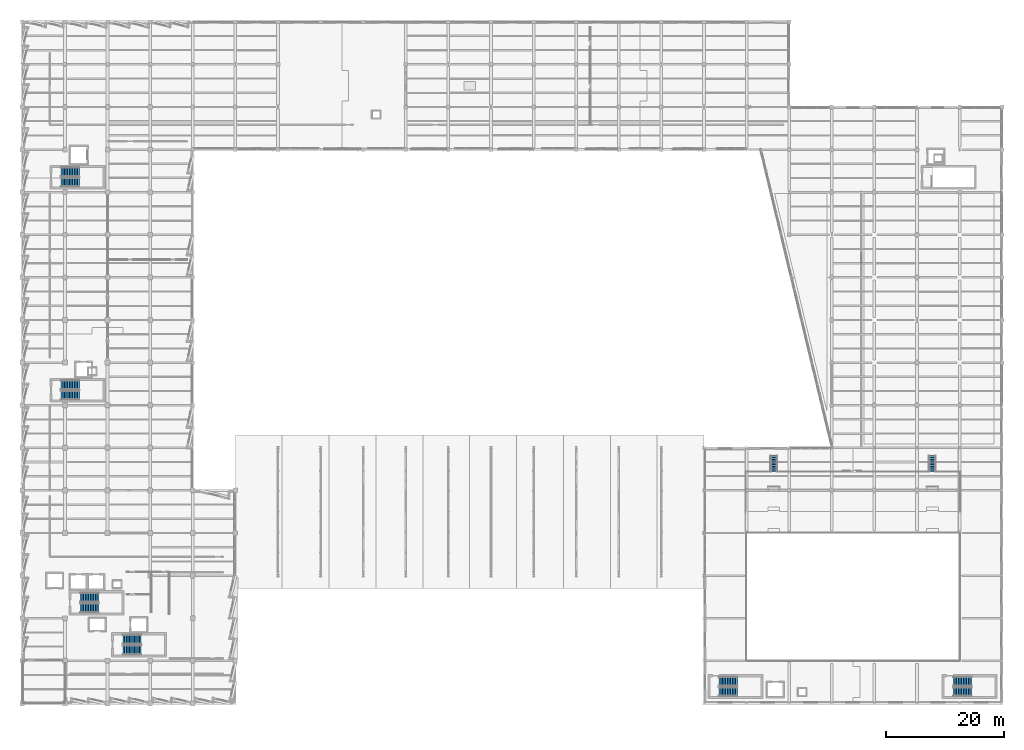
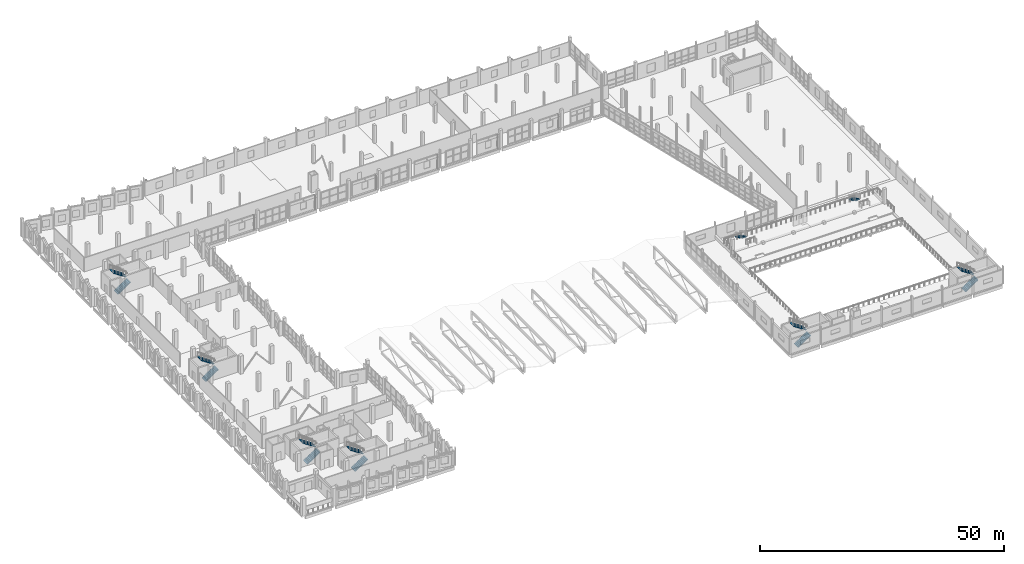
# One storey, part 99 of 123: 14 stair flights, 8 elements without a shape of their own.
"""IFC4 building model written with IfcOpenShell, lengths in metres."""

from ifc_helpers import new_model, si_unit, direction, frame, origin, place, context, subcontext, project, spatial, polyline, outline, extrude, material, type_object, element, aggregate, save


model = new_model("IFC4")

# Units and contexts
model_context = context("Model", 3, precision=1e-05, world=origin(), true_north=direction((0.0, 1.0)))
body_context = subcontext(model_context, "Body", "Model", "MODEL_VIEW")
ifc_project = project(units=[si_unit("LENGTHUNIT", "METRE"), si_unit("AREAUNIT", "SQUARE_METRE"), si_unit("VOLUMEUNIT", "CUBIC_METRE"), si_unit("PLANEANGLEUNIT", "RADIAN"), si_unit("MASSUNIT", "GRAM", prefix="KILO")], contexts=[model_context])

# Site, building, storey
site_placement = place(None, origin())
site = spatial("IfcSite", under=ifc_project, at=site_placement, CompositionType="ELEMENT")
building_placement = place(site_placement, origin())
building = spatial("IfcBuilding", under=site, at=building_placement, Name="Kalmorath City Hall", CompositionType="ELEMENT")
storey_placement = place(building_placement, frame((0.0, 0.0, 10.199951171875)))
storey = spatial("IfcBuildingStorey", under=building, at=storey_placement, Name="L02", CompositionType="ELEMENT", Elevation=10.199951171875)

# Stair, stair flights
ifc_material_1 = material(Name="Concrete C40/50", Category="concrete")
stair_type_1 = type_object("IfcStairType", Name="Dogleg concrete exit stair 24R x 188mm W1550", PredefinedType="HALF_TURN_STAIR", material=ifc_material_1)
stair_1_placement = place(storey_placement, origin())
stair_1 = element("IfcStair", 1, at=stair_1_placement, inside=storey, type_object=stair_type_1, Name="L02 Protected exit stair ST-3", PredefinedType="HALF_TURN_STAIR")
ifc_material_2 = material(Name="Concrete C40/50", Category="concrete")
stair_flight_type_1 = type_object("IfcStairFlightType", Name="Concrete stair flight 188x280 W1550", PredefinedType="STRAIGHT", material=ifc_material_2)
stair_flight_1_placement = place(storey_placement, frame((6.550048828125, 52.074951171875, 0.0), z_axis=(0.0, 0.0, 1.0), x_axis=(1.0, 0.0, 0.0)))
stair_flight_1 = element("IfcStairFlight", 2, at=stair_flight_1_placement, type_object=stair_flight_type_1, Name="ST-3 flight 1", NumberOfRisers=12, NumberOfTreads=11, PredefinedType="STRAIGHT", RiserHeight=0.1875, TreadLength=0.28, context=body_context, shape_type="SweptSolid", body=[
    extrude(outline(polyline([(0.0, 0.0), (0.0, 0.1875), (0.280029296875, 0.1875), (0.280029296875, 0.375), (0.56005859375, 0.375), (0.56005859375, 0.5625), (0.840087890625, 0.5625), (0.840087890625, 0.75), (1.1201171875, 0.75), (1.1201171875, 0.9375), (1.39990234375, 0.9375), (1.39990234375, 1.125), (1.679931640625, 1.125), (1.679931640625, 1.3125), (1.9599609375, 1.3125), (1.9599609375, 1.5), (2.239990234375, 1.5), (2.239990234375, 1.6875), (2.52001953125, 1.6875), (2.52001953125, 1.875), (2.800048828125, 1.875), (2.800048828125, 2.0625), (3.080078125, 2.0625), (3.080078125, 2.25), (3.080078125, 1.882080078125), (0.26953125, 0.0), (0.0, 0.0)])), frame((0.0, 0.77490234375, 0.0), z_axis=(0.0, -1.0, 0.0), x_axis=(1.0, 0.0, 0.0)), (0.0, 0.0, 1.0), 1.550048828125),
])
stair_flight_2_placement = place(storey_placement, frame((9.6298828125, 53.824951171875, 2.25), z_axis=(0.0, 0.0, 1.0), x_axis=(-1.0, 0.0, 0.0)))
stair_flight_2 = element("IfcStairFlight", 3, at=stair_flight_2_placement, type_object=stair_flight_type_1, Name="ST-3 flight 2", NumberOfRisers=12, NumberOfTreads=11, PredefinedType="STRAIGHT", RiserHeight=0.1875, TreadLength=0.28, context=body_context, shape_type="SweptSolid", body=[
    extrude(outline(polyline([(0.0, 0.0), (0.0, 0.1875), (0.280029296875, 0.1875), (0.280029296875, 0.375), (0.56005859375, 0.375), (0.56005859375, 0.5625), (0.840087890625, 0.5625), (0.840087890625, 0.75), (1.1201171875, 0.75), (1.1201171875, 0.9375), (1.39990234375, 0.9375), (1.39990234375, 1.125), (1.679931640625, 1.125), (1.679931640625, 1.3125), (1.9599609375, 1.3125), (1.9599609375, 1.5), (2.239990234375, 1.5), (2.239990234375, 1.6875), (2.52001953125, 1.6875), (2.52001953125, 1.875), (2.800048828125, 1.875), (2.800048828125, 2.0625), (3.080078125, 2.0625), (3.080078125, 2.25), (3.080078125, 1.882080078125), (0.26953125, 0.0), (0.0, 0.0)])), frame((0.0, 0.77490234375, 0.0), z_axis=(0.0, -1.0, 0.0), x_axis=(1.0, 0.0, 0.0)), (0.0, 0.0, 1.0), 1.550048828125),
])
aggregate(stair_1, [stair_flight_1, stair_flight_2])

stair_2_placement = place(storey_placement, origin())
stair_2 = element("IfcStair", 4, at=stair_2_placement, inside=storey, type_object=stair_type_1, Name="L02 Protected exit stair ST-4", PredefinedType="HALF_TURN_STAIR")
stair_flight_3_placement = place(storey_placement, frame((6.550048828125, 88.074951171875, 0.0), z_axis=(0.0, 0.0, 1.0), x_axis=(1.0, 0.0, 0.0)))
stair_flight_3 = element("IfcStairFlight", 5, at=stair_flight_3_placement, type_object=stair_flight_type_1, Name="ST-4 flight 1", NumberOfRisers=12, NumberOfTreads=11, PredefinedType="STRAIGHT", RiserHeight=0.1875, TreadLength=0.28, context=body_context, shape_type="SweptSolid", body=[
    extrude(outline(polyline([(0.0, 0.0), (0.0, 0.1875), (0.280029296875, 0.1875), (0.280029296875, 0.375), (0.56005859375, 0.375), (0.56005859375, 0.5625), (0.840087890625, 0.5625), (0.840087890625, 0.75), (1.1201171875, 0.75), (1.1201171875, 0.9375), (1.39990234375, 0.9375), (1.39990234375, 1.125), (1.679931640625, 1.125), (1.679931640625, 1.3125), (1.9599609375, 1.3125), (1.9599609375, 1.5), (2.239990234375, 1.5), (2.239990234375, 1.6875), (2.52001953125, 1.6875), (2.52001953125, 1.875), (2.800048828125, 1.875), (2.800048828125, 2.0625), (3.080078125, 2.0625), (3.080078125, 2.25), (3.080078125, 1.882080078125), (0.26953125, 0.0), (0.0, 0.0)])), frame((0.0, 0.77490234375, 0.0), z_axis=(0.0, -1.0, 0.0), x_axis=(1.0, 0.0, 0.0)), (0.0, 0.0, 1.0), 1.550048828125),
])
stair_flight_4_placement = place(storey_placement, frame((9.6298828125, 89.824951171875, 2.25), z_axis=(0.0, 0.0, 1.0), x_axis=(-1.0, 0.0, 0.0)))
stair_flight_4 = element("IfcStairFlight", 6, at=stair_flight_4_placement, type_object=stair_flight_type_1, Name="ST-4 flight 2", NumberOfRisers=12, NumberOfTreads=11, PredefinedType="STRAIGHT", RiserHeight=0.1875, TreadLength=0.28, context=body_context, shape_type="SweptSolid", body=[
    extrude(outline(polyline([(0.0, 0.0), (0.0, 0.1875), (0.280029296875, 0.1875), (0.280029296875, 0.375), (0.56005859375, 0.375), (0.56005859375, 0.5625), (0.840087890625, 0.5625), (0.840087890625, 0.75), (1.1201171875, 0.75), (1.1201171875, 0.9375), (1.39990234375, 0.9375), (1.39990234375, 1.125), (1.679931640625, 1.125), (1.679931640625, 1.3125), (1.9599609375, 1.3125), (1.9599609375, 1.5), (2.239990234375, 1.5), (2.239990234375, 1.6875), (2.52001953125, 1.6875), (2.52001953125, 1.875), (2.800048828125, 1.875), (2.800048828125, 2.0625), (3.080078125, 2.0625), (3.080078125, 2.25), (3.080078125, 1.882080078125), (0.26953125, 0.0), (0.0, 0.0)])), frame((0.0, 0.77490234375, 0.0), z_axis=(0.0, -1.0, 0.0), x_axis=(1.0, 0.0, 0.0)), (0.0, 0.0, 1.0), 1.550048828125),
])
aggregate(stair_2, [stair_flight_3, stair_flight_4])

stair_3_placement = place(storey_placement, origin())
stair_3 = element("IfcStair", 7, at=stair_3_placement, inside=storey, type_object=stair_type_1, Name="L02 Protected exit stair ST-5", PredefinedType="HALF_TURN_STAIR")
stair_flight_5_placement = place(storey_placement, frame((117.75, 1.97509765625, 0.0), z_axis=(0.0, 0.0, 1.0), x_axis=(1.0, 0.0, 0.0)))
stair_flight_5 = element("IfcStairFlight", 8, at=stair_flight_5_placement, type_object=stair_flight_type_1, Name="ST-5 flight 1", NumberOfRisers=12, NumberOfTreads=11, PredefinedType="STRAIGHT", RiserHeight=0.1875, TreadLength=0.28, context=body_context, shape_type="SweptSolid", body=[
    extrude(outline(polyline([(0.0, 0.0), (0.0, 0.1875), (0.280029296875, 0.1875), (0.280029296875, 0.375), (0.56005859375, 0.375), (0.56005859375, 0.5625), (0.840087890625, 0.5625), (0.840087890625, 0.75), (1.1201171875, 0.75), (1.1201171875, 0.9375), (1.39990234375, 0.9375), (1.39990234375, 1.125), (1.679931640625, 1.125), (1.679931640625, 1.3125), (1.9599609375, 1.3125), (1.9599609375, 1.5), (2.239990234375, 1.5), (2.239990234375, 1.6875), (2.52001953125, 1.6875), (2.52001953125, 1.875), (2.800048828125, 1.875), (2.800048828125, 2.0625), (3.080078125, 2.0625), (3.080078125, 2.25), (3.080078125, 1.882080078125), (0.26953125, 0.0), (0.0, 0.0)])), frame((0.0, 0.77490234375, 0.0), z_axis=(0.0, -1.0, 0.0), x_axis=(1.0, 0.0, 0.0)), (0.0, 0.0, 1.0), 1.550048828125),
])
stair_flight_6_placement = place(storey_placement, frame((120.830078125, 3.72509765625, 2.25), z_axis=(0.0, 0.0, 1.0), x_axis=(-1.0, 0.0, 0.0)))
stair_flight_6 = element("IfcStairFlight", 9, at=stair_flight_6_placement, type_object=stair_flight_type_1, Name="ST-5 flight 2", NumberOfRisers=12, NumberOfTreads=11, PredefinedType="STRAIGHT", RiserHeight=0.1875, TreadLength=0.28, context=body_context, shape_type="SweptSolid", body=[
    extrude(outline(polyline([(0.0, 0.0), (0.0, 0.1875), (0.280029296875, 0.1875), (0.280029296875, 0.375), (0.56005859375, 0.375), (0.56005859375, 0.5625), (0.840087890625, 0.5625), (0.840087890625, 0.75), (1.1201171875, 0.75), (1.1201171875, 0.9375), (1.39990234375, 0.9375), (1.39990234375, 1.125), (1.679931640625, 1.125), (1.679931640625, 1.3125), (1.9599609375, 1.3125), (1.9599609375, 1.5), (2.239990234375, 1.5), (2.239990234375, 1.6875), (2.52001953125, 1.6875), (2.52001953125, 1.875), (2.800048828125, 1.875), (2.800048828125, 2.0625), (3.080078125, 2.0625), (3.080078125, 2.25), (3.080078125, 1.882080078125), (0.26953125, 0.0), (0.0, 0.0)])), frame((0.0, 0.77490234375, 0.0), z_axis=(0.0, -1.0, 0.0), x_axis=(1.0, 0.0, 0.0)), (0.0, 0.0, 1.0), 1.550048828125),
])
aggregate(stair_3, [stair_flight_5, stair_flight_6])

stair_4_placement = place(storey_placement, origin())
stair_4 = element("IfcStair", 10, at=stair_4_placement, inside=storey, type_object=stair_type_1, Name="L02 Protected exit stair ST-7", PredefinedType="HALF_TURN_STAIR")
stair_flight_7_placement = place(storey_placement, frame((157.35009765625, 1.97509765625, 0.0), z_axis=(0.0, 0.0, 1.0), x_axis=(1.0, 0.0, 0.0)))
stair_flight_7 = element("IfcStairFlight", 11, at=stair_flight_7_placement, type_object=stair_flight_type_1, Name="ST-7 flight 1", NumberOfRisers=12, NumberOfTreads=11, PredefinedType="STRAIGHT", RiserHeight=0.1875, TreadLength=0.28, context=body_context, shape_type="SweptSolid", body=[
    extrude(outline(polyline([(0.0, 0.0), (0.0, 0.1875), (0.280029296875, 0.1875), (0.280029296875, 0.375), (0.56005859375, 0.375), (0.56005859375, 0.5625), (0.840087890625, 0.5625), (0.840087890625, 0.75), (1.1201171875, 0.75), (1.1201171875, 0.9375), (1.39990234375, 0.9375), (1.39990234375, 1.125), (1.679931640625, 1.125), (1.679931640625, 1.3125), (1.9599609375, 1.3125), (1.9599609375, 1.5), (2.239990234375, 1.5), (2.239990234375, 1.6875), (2.52001953125, 1.6875), (2.52001953125, 1.875), (2.800048828125, 1.875), (2.800048828125, 2.0625), (3.080078125, 2.0625), (3.080078125, 2.25), (3.080078125, 1.882080078125), (0.26953125, 0.0), (0.0, 0.0)])), frame((0.0, 0.77490234375, 0.0), z_axis=(0.0, -1.0, 0.0), x_axis=(1.0, 0.0, 0.0)), (0.0, 0.0, 1.0), 1.550048828125),
])
stair_flight_8_placement = place(storey_placement, frame((160.429931640625, 3.72509765625, 2.25), z_axis=(0.0, 0.0, 1.0), x_axis=(-1.0, 0.0, 0.0)))
stair_flight_8 = element("IfcStairFlight", 12, at=stair_flight_8_placement, type_object=stair_flight_type_1, Name="ST-7 flight 2", NumberOfRisers=12, NumberOfTreads=11, PredefinedType="STRAIGHT", RiserHeight=0.1875, TreadLength=0.28, context=body_context, shape_type="SweptSolid", body=[
    extrude(outline(polyline([(0.0, 0.0), (0.0, 0.1875), (0.280029296875, 0.1875), (0.280029296875, 0.375), (0.56005859375, 0.375), (0.56005859375, 0.5625), (0.840087890625, 0.5625), (0.840087890625, 0.75), (1.1201171875, 0.75), (1.1201171875, 0.9375), (1.39990234375, 0.9375), (1.39990234375, 1.125), (1.679931640625, 1.125), (1.679931640625, 1.3125), (1.9599609375, 1.3125), (1.9599609375, 1.5), (2.239990234375, 1.5), (2.239990234375, 1.6875), (2.52001953125, 1.6875), (2.52001953125, 1.875), (2.800048828125, 1.875), (2.800048828125, 2.0625), (3.080078125, 2.0625), (3.080078125, 2.25), (3.080078125, 1.882080078125), (0.26953125, 0.0), (0.0, 0.0)])), frame((0.0, 0.77490234375, 0.0), z_axis=(0.0, -1.0, 0.0), x_axis=(1.0, 0.0, 0.0)), (0.0, 0.0, 1.0), 1.550048828125),
])
aggregate(stair_4, [stair_flight_7, stair_flight_8])

ifc_material_3 = material(Name="Concrete C40/50", Category="concrete")
stair_type_2 = type_object("IfcStairType", Name="Dogleg concrete exit stair 24R x 188mm W1600", PredefinedType="HALF_TURN_STAIR", material=ifc_material_3)
stair_5_placement = place(storey_placement, origin())
stair_5 = element("IfcStair", 13, at=stair_5_placement, inside=storey, type_object=stair_type_2, Name="L02 Protected exit stair ST-1", PredefinedType="HALF_TURN_STAIR")
ifc_material_4 = material(Name="Concrete C40/50", Category="concrete")
stair_flight_type_2 = type_object("IfcStairFlightType", Name="Concrete stair flight 188x280 W1600", PredefinedType="STRAIGHT", material=ifc_material_4)
stair_flight_9_placement = place(storey_placement, frame((9.800048828125, 16.10009765625, 0.0), z_axis=(0.0, 0.0, 1.0), x_axis=(1.0, 0.0, 0.0)))
stair_flight_9 = element("IfcStairFlight", 14, at=stair_flight_9_placement, type_object=stair_flight_type_2, Name="ST-1 flight 1", NumberOfRisers=12, NumberOfTreads=11, PredefinedType="STRAIGHT", RiserHeight=0.1875, TreadLength=0.28, context=body_context, shape_type="SweptSolid", body=[
    extrude(outline(polyline([(0.0, 0.0), (0.0, 0.1875), (0.280029296875, 0.1875), (0.280029296875, 0.375), (0.56005859375, 0.375), (0.56005859375, 0.5625), (0.840087890625, 0.5625), (0.840087890625, 0.75), (1.1201171875, 0.75), (1.1201171875, 0.9375), (1.39990234375, 0.9375), (1.39990234375, 1.125), (1.679931640625, 1.125), (1.679931640625, 1.3125), (1.9599609375, 1.3125), (1.9599609375, 1.5), (2.239990234375, 1.5), (2.239990234375, 1.6875), (2.52001953125, 1.6875), (2.52001953125, 1.875), (2.800048828125, 1.875), (2.800048828125, 2.0625), (3.080078125, 2.0625), (3.080078125, 2.25), (3.080078125, 1.882080078125), (0.26953125, 0.0), (0.0, 0.0)])), frame((0.0, 0.800048828125, 0.0), z_axis=(0.0, -1.0, 0.0), x_axis=(1.0, 0.0, 0.0)), (0.0, 0.0, 1.0), 1.60009765625),
])
stair_flight_10_placement = place(storey_placement, frame((12.8798828125, 17.89990234375, 2.25), z_axis=(0.0, 0.0, 1.0), x_axis=(-1.0, 0.0, 0.0)))
stair_flight_10 = element("IfcStairFlight", 15, at=stair_flight_10_placement, type_object=stair_flight_type_2, Name="ST-1 flight 2", NumberOfRisers=12, NumberOfTreads=11, PredefinedType="STRAIGHT", RiserHeight=0.1875, TreadLength=0.28, context=body_context, shape_type="SweptSolid", body=[
    extrude(outline(polyline([(0.0, 0.0), (0.0, 0.1875), (0.280029296875, 0.1875), (0.280029296875, 0.375), (0.56005859375, 0.375), (0.56005859375, 0.5625), (0.840087890625, 0.5625), (0.840087890625, 0.75), (1.1201171875, 0.75), (1.1201171875, 0.9375), (1.39990234375, 0.9375), (1.39990234375, 1.125), (1.679931640625, 1.125), (1.679931640625, 1.3125), (1.9599609375, 1.3125), (1.9599609375, 1.5), (2.239990234375, 1.5), (2.239990234375, 1.6875), (2.52001953125, 1.6875), (2.52001953125, 1.875), (2.800048828125, 1.875), (2.800048828125, 2.0625), (3.080078125, 2.0625), (3.080078125, 2.25), (3.080078125, 1.882080078125), (0.26953125, 0.0), (0.0, 0.0)])), frame((0.0, 0.800048828125, 0.0), z_axis=(0.0, -1.0, 0.0), x_axis=(1.0, 0.0, 0.0)), (0.0, 0.0, 1.0), 1.60009765625),
])
aggregate(stair_5, [stair_flight_9, stair_flight_10])

stair_6_placement = place(storey_placement, origin())
stair_6 = element("IfcStair", 16, at=stair_6_placement, inside=storey, type_object=stair_type_2, Name="L02 Protected exit stair ST-2", PredefinedType="HALF_TURN_STAIR")
stair_flight_11_placement = place(storey_placement, frame((17.0, 9.0, 0.0), z_axis=(0.0, 0.0, 1.0), x_axis=(1.0, 0.0, 0.0)))
stair_flight_11 = element("IfcStairFlight", 17, at=stair_flight_11_placement, type_object=stair_flight_type_2, Name="ST-2 flight 1", NumberOfRisers=12, NumberOfTreads=11, PredefinedType="STRAIGHT", RiserHeight=0.1875, TreadLength=0.28, context=body_context, shape_type="SweptSolid", body=[
    extrude(outline(polyline([(0.0, 0.0), (0.0, 0.1875), (0.280029296875, 0.1875), (0.280029296875, 0.375), (0.56005859375, 0.375), (0.56005859375, 0.5625), (0.840087890625, 0.5625), (0.840087890625, 0.75), (1.1201171875, 0.75), (1.1201171875, 0.9375), (1.39990234375, 0.9375), (1.39990234375, 1.125), (1.679931640625, 1.125), (1.679931640625, 1.3125), (1.9599609375, 1.3125), (1.9599609375, 1.5), (2.239990234375, 1.5), (2.239990234375, 1.6875), (2.52001953125, 1.6875), (2.52001953125, 1.875), (2.800048828125, 1.875), (2.800048828125, 2.0625), (3.080078125, 2.0625), (3.080078125, 2.25), (3.080078125, 1.882080078125), (0.26953125, 0.0), (0.0, 0.0)])), frame((0.0, 0.800048828125, 0.0), z_axis=(0.0, -1.0, 0.0), x_axis=(1.0, 0.0, 0.0)), (0.0, 0.0, 1.0), 1.60009765625),
])
stair_flight_12_placement = place(storey_placement, frame((20.080078125, 10.800048828125, 2.25), z_axis=(0.0, 0.0, 1.0), x_axis=(-1.0, 0.0, 0.0)))
stair_flight_12 = element("IfcStairFlight", 18, at=stair_flight_12_placement, type_object=stair_flight_type_2, Name="ST-2 flight 2", NumberOfRisers=12, NumberOfTreads=11, PredefinedType="STRAIGHT", RiserHeight=0.1875, TreadLength=0.28, context=body_context, shape_type="SweptSolid", body=[
    extrude(outline(polyline([(0.0, 0.0), (0.0, 0.1875), (0.280029296875, 0.1875), (0.280029296875, 0.375), (0.56005859375, 0.375), (0.56005859375, 0.5625), (0.840087890625, 0.5625), (0.840087890625, 0.75), (1.1201171875, 0.75), (1.1201171875, 0.9375), (1.39990234375, 0.9375), (1.39990234375, 1.125), (1.679931640625, 1.125), (1.679931640625, 1.3125), (1.9599609375, 1.3125), (1.9599609375, 1.5), (2.239990234375, 1.5), (2.239990234375, 1.6875), (2.52001953125, 1.6875), (2.52001953125, 1.875), (2.800048828125, 1.875), (2.800048828125, 2.0625), (3.080078125, 2.0625), (3.080078125, 2.25), (3.080078125, 1.882080078125), (0.26953125, 0.0), (0.0, 0.0)])), frame((0.0, 0.800048828125, 0.0), z_axis=(0.0, -1.0, 0.0), x_axis=(1.0, 0.0, 0.0)), (0.0, 0.0, 1.0), 1.60009765625),
])
aggregate(stair_6, [stair_flight_11, stair_flight_12])

# Stair, stair flight
ifc_material_5 = material(Name="Concrete C40/50", Category="concrete")
stair_type_3 = type_object("IfcStairType", Name="Public gallery vomitory straight stair 10R", PredefinedType="STRAIGHT_RUN_STAIR", material=ifc_material_5)
stair_7_placement = place(storey_placement, origin())
stair_7 = element("IfcStair", 19, at=stair_7_placement, inside=storey, type_object=stair_type_3, Name="L02 Public Gallery vomitory stair 1", PredefinedType="STRAIGHT_RUN_STAIR")
ifc_material_6 = material(Name="Concrete C40/50", Category="concrete")
stair_flight_type_3 = type_object("IfcStairFlightType", Name="Public gallery vomitory stair flight", PredefinedType="STRAIGHT", material=ifc_material_6)
stair_flight_13_placement = place(storey_placement, frame((127.0, 41.860107421875, 0.0), z_axis=(0.0, 0.0, 1.0), x_axis=(0.0, -1.0, 0.0)))
stair_flight_13 = element("IfcStairFlight", 20, at=stair_flight_13_placement, type_object=stair_flight_type_3, Name="ST-V1 flight 1", NumberOfRisers=10, NumberOfTreads=9, PredefinedType="STRAIGHT", RiserHeight=0.15, TreadLength=0.3, context=body_context, shape_type="SweptSolid", body=[
    extrude(outline(polyline([(0.0, 0.0), (0.0, 0.14990234375), (0.300048828125, 0.14990234375), (0.300048828125, 0.300048828125), (0.60009765625, 0.300048828125), (0.60009765625, 0.449951171875), (0.89990234375, 0.449951171875), (0.89990234375, 0.60009765625), (1.199951171875, 0.60009765625), (1.199951171875, 0.75), (1.5, 0.75), (1.5, 0.89990234375), (1.800048828125, 0.89990234375), (1.800048828125, 1.050048828125), (2.10009765625, 1.050048828125), (2.10009765625, 1.199951171875), (2.39990234375, 1.199951171875), (2.39990234375, 1.35009765625), (2.699951171875, 1.35009765625), (2.699951171875, 1.5), (2.699951171875, 1.182373046875), (0.335205078125, 0.0), (0.0, 0.0)])), frame((0.0, 0.60009765625, 0.0), z_axis=(0.0, -1.0, 0.0), x_axis=(1.0, 0.0, 0.0)), (0.0, 0.0, 1.0), 1.199951171875),
])
aggregate(stair_7, [stair_flight_13])

stair_8_placement = place(storey_placement, origin())
stair_8 = element("IfcStair", 21, at=stair_8_placement, inside=storey, type_object=stair_type_3, Name="L02 Public Gallery vomitory stair 2", PredefinedType="STRAIGHT_RUN_STAIR")
stair_flight_14_placement = place(storey_placement, frame((153.800048828125, 41.860107421875, 0.0), z_axis=(0.0, 0.0, 1.0), x_axis=(0.0, -1.0, 0.0)))
stair_flight_14 = element("IfcStairFlight", 22, at=stair_flight_14_placement, type_object=stair_flight_type_3, Name="ST-V2 flight 1", NumberOfRisers=10, NumberOfTreads=9, PredefinedType="STRAIGHT", RiserHeight=0.15, TreadLength=0.3, context=body_context, shape_type="SweptSolid", body=[
    extrude(outline(polyline([(0.0, 0.0), (0.0, 0.14990234375), (0.300048828125, 0.14990234375), (0.300048828125, 0.300048828125), (0.60009765625, 0.300048828125), (0.60009765625, 0.449951171875), (0.89990234375, 0.449951171875), (0.89990234375, 0.60009765625), (1.199951171875, 0.60009765625), (1.199951171875, 0.75), (1.5, 0.75), (1.5, 0.89990234375), (1.800048828125, 0.89990234375), (1.800048828125, 1.050048828125), (2.10009765625, 1.050048828125), (2.10009765625, 1.199951171875), (2.39990234375, 1.199951171875), (2.39990234375, 1.35009765625), (2.699951171875, 1.35009765625), (2.699951171875, 1.5), (2.699951171875, 1.182373046875), (0.335205078125, 0.0), (0.0, 0.0)])), frame((0.0, 0.60009765625, 0.0), z_axis=(0.0, -1.0, 0.0), x_axis=(1.0, 0.0, 0.0)), (0.0, 0.0, 1.0), 1.199951171875),
])
aggregate(stair_8, [stair_flight_14])

save(model, "model.ifc")
